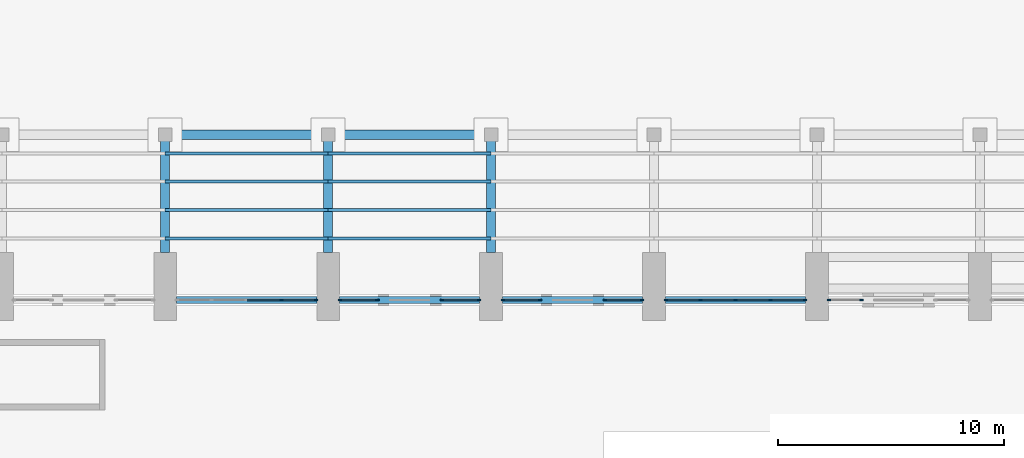
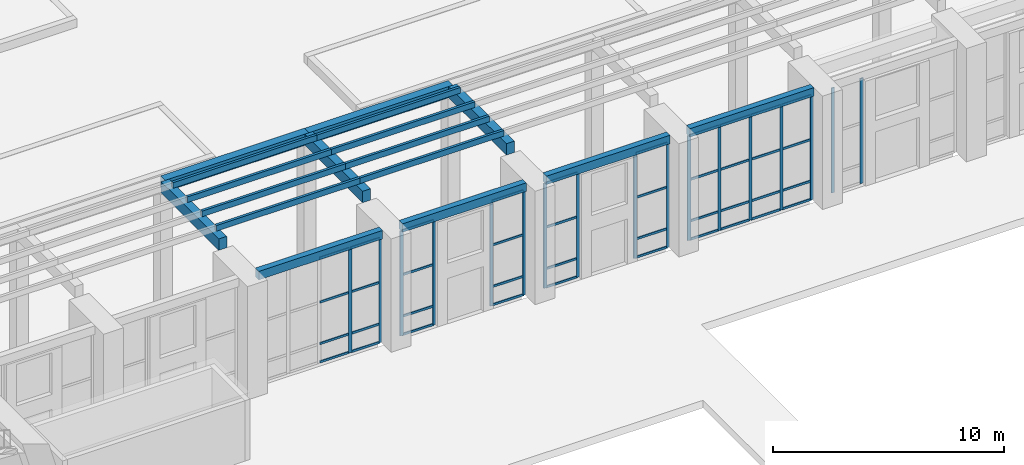
# One storey, part 15 of 70: 65 members, 9 beams, 7 elements without a shape of their own.
"""IFC4 building model written with IfcOpenShell, lengths in metres."""

from ifc_helpers import new_model, si_unit, direction, frame, origin, origin_2d, place, context, subcontext, project, spatial, rectangle, extrude, material, material_profile, profile_set, type_object, element, aggregate, save


model = new_model("IFC4")

# Units and contexts
model_context = context("Model", 3, precision=1e-05, world=origin(), true_north=direction((0.0, 1.0)))
body_context = subcontext(model_context, "Body", "Model", "MODEL_VIEW")
ifc_project = project(units=[si_unit("LENGTHUNIT", "METRE"), si_unit("AREAUNIT", "SQUARE_METRE"), si_unit("VOLUMEUNIT", "CUBIC_METRE"), si_unit("PLANEANGLEUNIT", "RADIAN"), si_unit("MASSUNIT", "GRAM", prefix="KILO")], contexts=[model_context])

# Site, building, storey
site_placement = place(None, origin())
site = spatial("IfcSite", under=ifc_project, at=site_placement, CompositionType="ELEMENT")
building_placement = place(site_placement, origin())
building = spatial("IfcBuilding", under=site, at=building_placement, Name="Vermilion Court Aquatics Centre", CompositionType="ELEMENT")
storey_placement = place(building_placement, origin())
storey = spatial("IfcBuildingStorey", under=building, at=storey_placement, Name="L00", CompositionType="ELEMENT", Elevation=0.0)

# Beams
ifc_material_1 = material(Name="Concrete 5000 psi", Category="concrete")
ifc_material_profile_1 = material_profile(ifc_material_1, rectangle(XDim=0.39990234375, YDim=0.60009765625, at=origin_2d()), Name="RC 400x600")
ifc_profile_set_1 = profile_set([ifc_material_profile_1], Name="Concrete 5000 psi")
beam_type_1 = type_object("IfcBeamType", Name="Court arcade beam RC 400x600", PredefinedType="BEAM", material=ifc_profile_set_1)
for number, where, z_axis, x_axis, name in (
    (1, (28.800048828125, 66.89990234375, 6.300048828125), (0.0, 1.0, 0.0), (-1.0, 0.0, 0.0), "Court arcade cross beam 3"),
    (2, (36.0, 66.89990234375, 6.300048828125), (0.0, 1.0, 0.0), (-1.0, 0.0, 0.0), "Court arcade cross beam 4"),
    (3, (43.199951171875, 66.89990234375, 6.300048828125), (0.0, 1.0, 0.0), (-1.0, 0.0, 0.0), "Court arcade cross beam 5"),
):
    element("IfcBeam", number, at=place(storey_placement, frame(where, z_axis=z_axis, x_axis=x_axis)), inside=storey, type_object=beam_type_1, Name=name, PredefinedType="BEAM", context=body_context, shape_type="SweptSolid", body=[
        extrude(rectangle(XDim=0.39990234375, YDim=0.60009765625, at=origin_2d()), origin(), (0.0, 0.0, 1.0), 5.0),
    ])
for number, where, z_axis, x_axis, name in (
    (4, (28.800048828125, 72.10009765625, 6.300048828125), (1.0, 0.0, 0.0), (0.0, 1.0, 0.0), "Court arcade edge beam 3"),
    (5, (36.0, 72.10009765625, 6.300048828125), (1.0, 0.0, 0.0), (0.0, 1.0, 0.0), "Court arcade edge beam 4"),
):
    element("IfcBeam", number, at=place(storey_placement, frame(where, z_axis=z_axis, x_axis=x_axis)), inside=storey, type_object=beam_type_1, Name=name, PredefinedType="BEAM", context=body_context, shape_type="SweptSolid", body=[
        extrude(rectangle(XDim=0.39990234375, YDim=0.60009765625, at=origin_2d()), origin(), (0.0, 0.0, 1.0), 7.199951171875),
    ])

# Members
ifc_material_2 = material(Name="Glulam 24F-V4 Douglas fir", Category="wood")
ifc_material_profile_2 = material_profile(ifc_material_2, rectangle(XDim=0.1298828125, YDim=0.300048828125, at=origin_2d()), Name="GL24F 130x300")
ifc_profile_set_2 = profile_set([ifc_material_profile_2], Name="Glulam 24F-V4 Douglas fir")
member_type_1 = type_object("IfcMemberType", Name="Court arcade glulam slat GL24F 130x300", PredefinedType="MEMBER", material=ifc_profile_set_2)
for number, where, z_axis, x_axis, name in (
    (6, (28.800048828125, 67.52490234375, 6.75), (1.0, 0.0, 0.0), (0.0, 1.0, 0.0), "Court arcade slat 3.1"),
    (7, (28.800048828125, 68.77490234375, 6.75), (1.0, 0.0, 0.0), (0.0, 1.0, 0.0), "Court arcade slat 3.2"),
    (8, (28.800048828125, 70.02490234375, 6.75), (1.0, 0.0, 0.0), (0.0, 1.0, 0.0), "Court arcade slat 3.3"),
    (9, (28.800048828125, 71.27490234375, 6.75), (1.0, 0.0, 0.0), (0.0, 1.0, 0.0), "Court arcade slat 3.4"),
    (10, (36.0, 67.52490234375, 6.75), (1.0, 0.0, 0.0), (0.0, 1.0, 0.0), "Court arcade slat 4.1"),
    (11, (36.0, 68.77490234375, 6.75), (1.0, 0.0, 0.0), (0.0, 1.0, 0.0), "Court arcade slat 4.2"),
    (12, (36.0, 70.02490234375, 6.75), (1.0, 0.0, 0.0), (0.0, 1.0, 0.0), "Court arcade slat 4.3"),
    (13, (36.0, 71.27490234375, 6.75), (1.0, 0.0, 0.0), (0.0, 1.0, 0.0), "Court arcade slat 4.4"),
):
    element("IfcMember", number, at=place(storey_placement, frame(where, z_axis=z_axis, x_axis=x_axis)), inside=storey, type_object=member_type_1, Name=name, PredefinedType="MEMBER", context=body_context, shape_type="SweptSolid", body=[
        extrude(rectangle(XDim=0.1298828125, YDim=0.300048828125, at=origin_2d()), origin(), (0.0, 0.0, 1.0), 7.199951171875),
    ])

# Curtain wall, members
ifc_material_3 = material(Name="Aluminium 6063-T5", Category="aluminium")
curtain_wall_type = type_object("IfcCurtainWallType", Name="Envelope curtain wall hall glazing L00", PredefinedType="NOTDEFINED", material=ifc_material_3)
curtain_wall_1_placement = place(storey_placement, origin())
curtain_wall_1 = element("IfcCurtainWall", 14, at=curtain_wall_1_placement, inside=storey, type_object=curtain_wall_type, Name="Hall glazing bay 3 L00", PredefinedType="NOTDEFINED")
ifc_material_4 = material(Name="Aluminium 6063-T5", Category="aluminium")
ifc_material_profile_3 = material_profile(ifc_material_4, rectangle(XDim=0.06005859375, YDim=0.159912109375, at=origin_2d()), Name="AL 60x160")
ifc_profile_set_3 = profile_set([ifc_material_profile_3], Name="Aluminium 6063-T5")
member_type_2 = type_object("IfcMemberType", Name="Envelope aluminium mullion 60x160", PredefinedType="MULLION", material=ifc_profile_set_3)
member_1_placement = place(storey_placement, frame((33.949951171875, 64.800048828125, 0.0), z_axis=(0.0, 0.0, 1.0), x_axis=(0.0, 1.0, 0.0)))
member_1 = element("IfcMember", 15, at=member_1_placement, type_object=member_type_2, Name="ECW1 mullion 4", PredefinedType="MULLION", context=body_context, shape_type="SweptSolid", body=[
    extrude(rectangle(XDim=0.06005859375, YDim=0.159912109375, at=origin_2d()), origin(), (0.0, 0.0, 1.0), 5.550048828125),
])
member_2_placement = place(storey_placement, frame((35.469970703125, 64.800048828125, 0.0), z_axis=(0.0, 0.0, 1.0), x_axis=(0.0, 1.0, 0.0)))
member_2 = element("IfcMember", 16, at=member_2_placement, type_object=member_type_2, Name="ECW1 mullion 5", PredefinedType="MULLION", context=body_context, shape_type="SweptSolid", body=[
    extrude(rectangle(XDim=0.06005859375, YDim=0.159912109375, at=origin_2d()), origin(), (0.0, 0.0, 1.0), 5.550048828125),
])

curtain_wall_2_placement = place(storey_placement, origin())
curtain_wall_2 = element("IfcCurtainWall", 17, at=curtain_wall_2_placement, inside=storey, type_object=curtain_wall_type, Name="Hall entrance sidelight bay 4 L00 W", PredefinedType="NOTDEFINED")
member_3_placement = place(storey_placement, frame((36.530029296875, 64.800048828125, 0.0), z_axis=(0.0, 0.0, 1.0), x_axis=(0.0, 1.0, 0.0)))
member_3 = element("IfcMember", 18, at=member_3_placement, type_object=member_type_2, Name="ECW1 mullion 1", PredefinedType="MULLION", context=body_context, shape_type="SweptSolid", body=[
    extrude(rectangle(XDim=0.06005859375, YDim=0.159912109375, at=origin_2d()), origin(), (0.0, 0.0, 1.0), 5.550048828125),
])
member_4_placement = place(storey_placement, frame((38.169921875, 64.800048828125, 0.0), z_axis=(0.0, 0.0, 1.0), x_axis=(0.0, 1.0, 0.0)))
member_4 = element("IfcMember", 19, at=member_4_placement, type_object=member_type_2, Name="ECW1 mullion 2", PredefinedType="MULLION", context=body_context, shape_type="SweptSolid", body=[
    extrude(rectangle(XDim=0.06005859375, YDim=0.159912109375, at=origin_2d()), origin(), (0.0, 0.0, 1.0), 5.550048828125),
])

curtain_wall_3_placement = place(storey_placement, origin())
curtain_wall_3 = element("IfcCurtainWall", 20, at=curtain_wall_3_placement, inside=storey, type_object=curtain_wall_type, Name="Hall entrance sidelight bay 4 L00 E", PredefinedType="NOTDEFINED")
member_5_placement = place(storey_placement, frame((41.030029296875, 64.800048828125, 0.0), z_axis=(0.0, 0.0, 1.0), x_axis=(0.0, 1.0, 0.0)))
member_5 = element("IfcMember", 21, at=member_5_placement, type_object=member_type_2, Name="ECW1 mullion 1", PredefinedType="MULLION", context=body_context, shape_type="SweptSolid", body=[
    extrude(rectangle(XDim=0.06005859375, YDim=0.159912109375, at=origin_2d()), origin(), (0.0, 0.0, 1.0), 5.550048828125),
])
member_6_placement = place(storey_placement, frame((42.669921875, 64.800048828125, 0.0), z_axis=(0.0, 0.0, 1.0), x_axis=(0.0, 1.0, 0.0)))
member_6 = element("IfcMember", 22, at=member_6_placement, type_object=member_type_2, Name="ECW1 mullion 2", PredefinedType="MULLION", context=body_context, shape_type="SweptSolid", body=[
    extrude(rectangle(XDim=0.06005859375, YDim=0.159912109375, at=origin_2d()), origin(), (0.0, 0.0, 1.0), 5.550048828125),
])

curtain_wall_4_placement = place(storey_placement, origin())
curtain_wall_4 = element("IfcCurtainWall", 23, at=curtain_wall_4_placement, inside=storey, type_object=curtain_wall_type, Name="Hall entrance sidelight bay 5 L00 W", PredefinedType="NOTDEFINED")
member_7_placement = place(storey_placement, frame((43.72998046875, 64.800048828125, 0.0), z_axis=(0.0, 0.0, 1.0), x_axis=(0.0, 1.0, 0.0)))
member_7 = element("IfcMember", 24, at=member_7_placement, type_object=member_type_2, Name="ECW1 mullion 1", PredefinedType="MULLION", context=body_context, shape_type="SweptSolid", body=[
    extrude(rectangle(XDim=0.06005859375, YDim=0.159912109375, at=origin_2d()), origin(), (0.0, 0.0, 1.0), 5.550048828125),
])
member_8_placement = place(storey_placement, frame((45.3701171875, 64.800048828125, 0.0), z_axis=(0.0, 0.0, 1.0), x_axis=(0.0, 1.0, 0.0)))
member_8 = element("IfcMember", 25, at=member_8_placement, type_object=member_type_2, Name="ECW1 mullion 2", PredefinedType="MULLION", context=body_context, shape_type="SweptSolid", body=[
    extrude(rectangle(XDim=0.06005859375, YDim=0.159912109375, at=origin_2d()), origin(), (0.0, 0.0, 1.0), 5.550048828125),
])

curtain_wall_5_placement = place(storey_placement, origin())
curtain_wall_5 = element("IfcCurtainWall", 26, at=curtain_wall_5_placement, inside=storey, type_object=curtain_wall_type, Name="Hall entrance sidelight bay 5 L00 E", PredefinedType="NOTDEFINED")
member_9_placement = place(storey_placement, frame((48.22998046875, 64.800048828125, 0.0), z_axis=(0.0, 0.0, 1.0), x_axis=(0.0, 1.0, 0.0)))
member_9 = element("IfcMember", 27, at=member_9_placement, type_object=member_type_2, Name="ECW1 mullion 1", PredefinedType="MULLION", context=body_context, shape_type="SweptSolid", body=[
    extrude(rectangle(XDim=0.06005859375, YDim=0.159912109375, at=origin_2d()), origin(), (0.0, 0.0, 1.0), 5.550048828125),
])
member_10_placement = place(storey_placement, frame((49.8701171875, 64.800048828125, 0.0), z_axis=(0.0, 0.0, 1.0), x_axis=(0.0, 1.0, 0.0)))
member_10 = element("IfcMember", 28, at=member_10_placement, type_object=member_type_2, Name="ECW1 mullion 2", PredefinedType="MULLION", context=body_context, shape_type="SweptSolid", body=[
    extrude(rectangle(XDim=0.06005859375, YDim=0.159912109375, at=origin_2d()), origin(), (0.0, 0.0, 1.0), 5.550048828125),
])

curtain_wall_6_placement = place(storey_placement, origin())
curtain_wall_6 = element("IfcCurtainWall", 29, at=curtain_wall_6_placement, inside=storey, type_object=curtain_wall_type, Name="Hall glazing bay 6 L00", PredefinedType="NOTDEFINED")
member_11_placement = place(storey_placement, frame((50.929931640625, 64.800048828125, 0.0), z_axis=(0.0, 0.0, 1.0), x_axis=(0.0, 1.0, 0.0)))
member_11 = element("IfcMember", 30, at=member_11_placement, type_object=member_type_2, Name="ECW1 mullion 1", PredefinedType="MULLION", context=body_context, shape_type="SweptSolid", body=[
    extrude(rectangle(XDim=0.06005859375, YDim=0.159912109375, at=origin_2d()), origin(), (0.0, 0.0, 1.0), 5.550048828125),
])
member_12_placement = place(storey_placement, frame((52.449951171875, 64.800048828125, 0.0), z_axis=(0.0, 0.0, 1.0), x_axis=(0.0, 1.0, 0.0)))
member_12 = element("IfcMember", 31, at=member_12_placement, type_object=member_type_2, Name="ECW1 mullion 2", PredefinedType="MULLION", context=body_context, shape_type="SweptSolid", body=[
    extrude(rectangle(XDim=0.06005859375, YDim=0.159912109375, at=origin_2d()), origin(), (0.0, 0.0, 1.0), 5.550048828125),
])
member_13_placement = place(storey_placement, frame((54.0, 64.800048828125, 0.0), z_axis=(0.0, 0.0, 1.0), x_axis=(0.0, 1.0, 0.0)))
member_13 = element("IfcMember", 32, at=member_13_placement, type_object=member_type_2, Name="ECW1 mullion 3", PredefinedType="MULLION", context=body_context, shape_type="SweptSolid", body=[
    extrude(rectangle(XDim=0.06005859375, YDim=0.159912109375, at=origin_2d()), origin(), (0.0, 0.0, 1.0), 5.550048828125),
])
member_14_placement = place(storey_placement, frame((55.550048828125, 64.800048828125, 0.0), z_axis=(0.0, 0.0, 1.0), x_axis=(0.0, 1.0, 0.0)))
member_14 = element("IfcMember", 33, at=member_14_placement, type_object=member_type_2, Name="ECW1 mullion 4", PredefinedType="MULLION", context=body_context, shape_type="SweptSolid", body=[
    extrude(rectangle(XDim=0.06005859375, YDim=0.159912109375, at=origin_2d()), origin(), (0.0, 0.0, 1.0), 5.550048828125),
])
member_15_placement = place(storey_placement, frame((57.070068359375, 64.800048828125, 0.0), z_axis=(0.0, 0.0, 1.0), x_axis=(0.0, 1.0, 0.0)))
member_15 = element("IfcMember", 34, at=member_15_placement, type_object=member_type_2, Name="ECW1 mullion 5", PredefinedType="MULLION", context=body_context, shape_type="SweptSolid", body=[
    extrude(rectangle(XDim=0.06005859375, YDim=0.159912109375, at=origin_2d()), origin(), (0.0, 0.0, 1.0), 5.550048828125),
])

curtain_wall_7_placement = place(storey_placement, origin())
curtain_wall_7 = element("IfcCurtainWall", 35, at=curtain_wall_7_placement, inside=storey, type_object=curtain_wall_type, Name="Hall entrance sidelight bay 7 L00 W", PredefinedType="NOTDEFINED")
member_16_placement = place(storey_placement, frame((58.1298828125, 64.800048828125, 0.0), z_axis=(0.0, 0.0, 1.0), x_axis=(0.0, 1.0, 0.0)))
member_16 = element("IfcMember", 36, at=member_16_placement, type_object=member_type_2, Name="ECW1 mullion 1", PredefinedType="MULLION", context=body_context, shape_type="SweptSolid", body=[
    extrude(rectangle(XDim=0.06005859375, YDim=0.159912109375, at=origin_2d()), origin(), (0.0, 0.0, 1.0), 5.550048828125),
])
member_17_placement = place(storey_placement, frame((59.570068359375, 64.800048828125, 0.0), z_axis=(0.0, 0.0, 1.0), x_axis=(0.0, 1.0, 0.0)))
member_17 = element("IfcMember", 37, at=member_17_placement, type_object=member_type_2, Name="ECW1 mullion 2", PredefinedType="MULLION", context=body_context, shape_type="SweptSolid", body=[
    extrude(rectangle(XDim=0.06005859375, YDim=0.159912109375, at=origin_2d()), origin(), (0.0, 0.0, 1.0), 5.550048828125),
])
aggregate(curtain_wall_7, [member_16, member_17])

# Member
ifc_material_5 = material(Name="Aluminium 6063-T5", Category="aluminium")
ifc_material_profile_4 = material_profile(ifc_material_5, rectangle(XDim=0.06005859375, YDim=0.1201171875, at=origin_2d()), Name="AL 60x120")
ifc_profile_set_4 = profile_set([ifc_material_profile_4], Name="Aluminium 6063-T5")
member_type_3 = type_object("IfcMemberType", Name="Envelope aluminium transom 60x120", PredefinedType="USERDEFINED", material=ifc_profile_set_4)
member_18_placement = place(storey_placement, frame((32.429931640625, 64.800048828125, 0.030029296875), z_axis=(1.0, 0.0, 0.0), x_axis=(0.0, 1.0, 0.0)))
member_18 = element("IfcMember", 38, at=member_18_placement, type_object=member_type_3, Name="ECW1 transom 3.1", ObjectType="TRANSOM", PredefinedType="USERDEFINED", context=body_context, shape_type="SweptSolid", body=[
    extrude(rectangle(XDim=0.06005859375, YDim=0.1201171875, at=origin_2d()), origin(), (0.0, 0.0, 1.0), 1.489990234375),
])

member_19_placement = place(storey_placement, frame((32.429931640625, 64.800048828125, 1.0), z_axis=(1.0, 0.0, 0.0), x_axis=(0.0, 1.0, 0.0)))
member_19 = element("IfcMember", 39, at=member_19_placement, type_object=member_type_3, Name="ECW1 transom 3.2", ObjectType="TRANSOM", PredefinedType="USERDEFINED", context=body_context, shape_type="SweptSolid", body=[
    extrude(rectangle(XDim=0.06005859375, YDim=0.1201171875, at=origin_2d()), origin(), (0.0, 0.0, 1.0), 1.489990234375),
])

member_20_placement = place(storey_placement, frame((32.429931640625, 64.800048828125, 3.199951171875), z_axis=(1.0, 0.0, 0.0), x_axis=(0.0, 1.0, 0.0)))
member_20 = element("IfcMember", 40, at=member_20_placement, type_object=member_type_3, Name="ECW1 transom 3.3", ObjectType="TRANSOM", PredefinedType="USERDEFINED", context=body_context, shape_type="SweptSolid", body=[
    extrude(rectangle(XDim=0.06005859375, YDim=0.1201171875, at=origin_2d()), origin(), (0.0, 0.0, 1.0), 1.489990234375),
])

member_21_placement = place(storey_placement, frame((32.429931640625, 64.800048828125, 5.52001953125), z_axis=(1.0, 0.0, 0.0), x_axis=(0.0, 1.0, 0.0)))
member_21 = element("IfcMember", 41, at=member_21_placement, type_object=member_type_3, Name="ECW1 transom 3.4", ObjectType="TRANSOM", PredefinedType="USERDEFINED", context=body_context, shape_type="SweptSolid", body=[
    extrude(rectangle(XDim=0.06005859375, YDim=0.1201171875, at=origin_2d()), origin(), (0.0, 0.0, 1.0), 1.489990234375),
])

member_22_placement = place(storey_placement, frame((33.97998046875, 64.800048828125, 0.030029296875), z_axis=(1.0, 0.0, 0.0), x_axis=(0.0, 1.0, 0.0)))
member_22 = element("IfcMember", 42, at=member_22_placement, type_object=member_type_3, Name="ECW1 transom 4.1", ObjectType="TRANSOM", PredefinedType="USERDEFINED", context=body_context, shape_type="SweptSolid", body=[
    extrude(rectangle(XDim=0.06005859375, YDim=0.1201171875, at=origin_2d()), origin(), (0.0, 0.0, 1.0), 1.4599609375),
])

member_23_placement = place(storey_placement, frame((33.97998046875, 64.800048828125, 1.0), z_axis=(1.0, 0.0, 0.0), x_axis=(0.0, 1.0, 0.0)))
member_23 = element("IfcMember", 43, at=member_23_placement, type_object=member_type_3, Name="ECW1 transom 4.2", ObjectType="TRANSOM", PredefinedType="USERDEFINED", context=body_context, shape_type="SweptSolid", body=[
    extrude(rectangle(XDim=0.06005859375, YDim=0.1201171875, at=origin_2d()), origin(), (0.0, 0.0, 1.0), 1.4599609375),
])

member_24_placement = place(storey_placement, frame((33.97998046875, 64.800048828125, 3.199951171875), z_axis=(1.0, 0.0, 0.0), x_axis=(0.0, 1.0, 0.0)))
member_24 = element("IfcMember", 44, at=member_24_placement, type_object=member_type_3, Name="ECW1 transom 4.3", ObjectType="TRANSOM", PredefinedType="USERDEFINED", context=body_context, shape_type="SweptSolid", body=[
    extrude(rectangle(XDim=0.06005859375, YDim=0.1201171875, at=origin_2d()), origin(), (0.0, 0.0, 1.0), 1.4599609375),
])

member_25_placement = place(storey_placement, frame((33.97998046875, 64.800048828125, 5.52001953125), z_axis=(1.0, 0.0, 0.0), x_axis=(0.0, 1.0, 0.0)))
member_25 = element("IfcMember", 45, at=member_25_placement, type_object=member_type_3, Name="ECW1 transom 4.4", ObjectType="TRANSOM", PredefinedType="USERDEFINED", context=body_context, shape_type="SweptSolid", body=[
    extrude(rectangle(XDim=0.06005859375, YDim=0.1201171875, at=origin_2d()), origin(), (0.0, 0.0, 1.0), 1.4599609375),
])

aggregate(curtain_wall_1, [member_1, member_2, member_18, member_19, member_20, member_21, member_22, member_23, member_24, member_25])

member_26_placement = place(storey_placement, frame((36.56005859375, 64.800048828125, 0.030029296875), z_axis=(1.0, 0.0, 0.0), x_axis=(0.0, 1.0, 0.0)))
member_26 = element("IfcMember", 46, at=member_26_placement, type_object=member_type_3, Name="ECW1 transom 1.1", ObjectType="TRANSOM", PredefinedType="USERDEFINED", context=body_context, shape_type="SweptSolid", body=[
    extrude(rectangle(XDim=0.06005859375, YDim=0.1201171875, at=origin_2d()), origin(), (0.0, 0.0, 1.0), 1.579833984375),
])

member_27_placement = place(storey_placement, frame((36.56005859375, 64.800048828125, 1.0), z_axis=(1.0, 0.0, 0.0), x_axis=(0.0, 1.0, 0.0)))
member_27 = element("IfcMember", 47, at=member_27_placement, type_object=member_type_3, Name="ECW1 transom 1.2", ObjectType="TRANSOM", PredefinedType="USERDEFINED", context=body_context, shape_type="SweptSolid", body=[
    extrude(rectangle(XDim=0.06005859375, YDim=0.1201171875, at=origin_2d()), origin(), (0.0, 0.0, 1.0), 1.579833984375),
])

member_28_placement = place(storey_placement, frame((36.56005859375, 64.800048828125, 3.199951171875), z_axis=(1.0, 0.0, 0.0), x_axis=(0.0, 1.0, 0.0)))
member_28 = element("IfcMember", 48, at=member_28_placement, type_object=member_type_3, Name="ECW1 transom 1.3", ObjectType="TRANSOM", PredefinedType="USERDEFINED", context=body_context, shape_type="SweptSolid", body=[
    extrude(rectangle(XDim=0.06005859375, YDim=0.1201171875, at=origin_2d()), origin(), (0.0, 0.0, 1.0), 1.579833984375),
])

member_29_placement = place(storey_placement, frame((36.56005859375, 64.800048828125, 5.52001953125), z_axis=(1.0, 0.0, 0.0), x_axis=(0.0, 1.0, 0.0)))
member_29 = element("IfcMember", 49, at=member_29_placement, type_object=member_type_3, Name="ECW1 transom 1.4", ObjectType="TRANSOM", PredefinedType="USERDEFINED", context=body_context, shape_type="SweptSolid", body=[
    extrude(rectangle(XDim=0.06005859375, YDim=0.1201171875, at=origin_2d()), origin(), (0.0, 0.0, 1.0), 1.579833984375),
])

aggregate(curtain_wall_2, [member_3, member_4, member_26, member_27, member_28, member_29])

member_30_placement = place(storey_placement, frame((41.06005859375, 64.800048828125, 0.030029296875), z_axis=(1.0, 0.0, 0.0), x_axis=(0.0, 1.0, 0.0)))
member_30 = element("IfcMember", 50, at=member_30_placement, type_object=member_type_3, Name="ECW1 transom 1.1", ObjectType="TRANSOM", PredefinedType="USERDEFINED", context=body_context, shape_type="SweptSolid", body=[
    extrude(rectangle(XDim=0.06005859375, YDim=0.1201171875, at=origin_2d()), origin(), (0.0, 0.0, 1.0), 1.579833984375),
])

member_31_placement = place(storey_placement, frame((41.06005859375, 64.800048828125, 1.0), z_axis=(1.0, 0.0, 0.0), x_axis=(0.0, 1.0, 0.0)))
member_31 = element("IfcMember", 51, at=member_31_placement, type_object=member_type_3, Name="ECW1 transom 1.2", ObjectType="TRANSOM", PredefinedType="USERDEFINED", context=body_context, shape_type="SweptSolid", body=[
    extrude(rectangle(XDim=0.06005859375, YDim=0.1201171875, at=origin_2d()), origin(), (0.0, 0.0, 1.0), 1.579833984375),
])

member_32_placement = place(storey_placement, frame((41.06005859375, 64.800048828125, 3.199951171875), z_axis=(1.0, 0.0, 0.0), x_axis=(0.0, 1.0, 0.0)))
member_32 = element("IfcMember", 52, at=member_32_placement, type_object=member_type_3, Name="ECW1 transom 1.3", ObjectType="TRANSOM", PredefinedType="USERDEFINED", context=body_context, shape_type="SweptSolid", body=[
    extrude(rectangle(XDim=0.06005859375, YDim=0.1201171875, at=origin_2d()), origin(), (0.0, 0.0, 1.0), 1.579833984375),
])

member_33_placement = place(storey_placement, frame((41.06005859375, 64.800048828125, 5.52001953125), z_axis=(1.0, 0.0, 0.0), x_axis=(0.0, 1.0, 0.0)))
member_33 = element("IfcMember", 53, at=member_33_placement, type_object=member_type_3, Name="ECW1 transom 1.4", ObjectType="TRANSOM", PredefinedType="USERDEFINED", context=body_context, shape_type="SweptSolid", body=[
    extrude(rectangle(XDim=0.06005859375, YDim=0.1201171875, at=origin_2d()), origin(), (0.0, 0.0, 1.0), 1.579833984375),
])

aggregate(curtain_wall_3, [member_5, member_6, member_30, member_31, member_32, member_33])

member_34_placement = place(storey_placement, frame((43.760009765625, 64.800048828125, 0.030029296875), z_axis=(1.0, 0.0, 0.0), x_axis=(0.0, 1.0, 0.0)))
member_34 = element("IfcMember", 54, at=member_34_placement, type_object=member_type_3, Name="ECW1 transom 1.1", ObjectType="TRANSOM", PredefinedType="USERDEFINED", context=body_context, shape_type="SweptSolid", body=[
    extrude(rectangle(XDim=0.06005859375, YDim=0.1201171875, at=origin_2d()), origin(), (0.0, 0.0, 1.0), 1.580078125),
])

member_35_placement = place(storey_placement, frame((43.760009765625, 64.800048828125, 1.0), z_axis=(1.0, 0.0, 0.0), x_axis=(0.0, 1.0, 0.0)))
member_35 = element("IfcMember", 55, at=member_35_placement, type_object=member_type_3, Name="ECW1 transom 1.2", ObjectType="TRANSOM", PredefinedType="USERDEFINED", context=body_context, shape_type="SweptSolid", body=[
    extrude(rectangle(XDim=0.06005859375, YDim=0.1201171875, at=origin_2d()), origin(), (0.0, 0.0, 1.0), 1.580078125),
])

member_36_placement = place(storey_placement, frame((43.760009765625, 64.800048828125, 3.199951171875), z_axis=(1.0, 0.0, 0.0), x_axis=(0.0, 1.0, 0.0)))
member_36 = element("IfcMember", 56, at=member_36_placement, type_object=member_type_3, Name="ECW1 transom 1.3", ObjectType="TRANSOM", PredefinedType="USERDEFINED", context=body_context, shape_type="SweptSolid", body=[
    extrude(rectangle(XDim=0.06005859375, YDim=0.1201171875, at=origin_2d()), origin(), (0.0, 0.0, 1.0), 1.580078125),
])

member_37_placement = place(storey_placement, frame((43.760009765625, 64.800048828125, 5.52001953125), z_axis=(1.0, 0.0, 0.0), x_axis=(0.0, 1.0, 0.0)))
member_37 = element("IfcMember", 57, at=member_37_placement, type_object=member_type_3, Name="ECW1 transom 1.4", ObjectType="TRANSOM", PredefinedType="USERDEFINED", context=body_context, shape_type="SweptSolid", body=[
    extrude(rectangle(XDim=0.06005859375, YDim=0.1201171875, at=origin_2d()), origin(), (0.0, 0.0, 1.0), 1.580078125),
])

aggregate(curtain_wall_4, [member_7, member_8, member_34, member_35, member_36, member_37])

member_38_placement = place(storey_placement, frame((48.260009765625, 64.800048828125, 0.030029296875), z_axis=(1.0, 0.0, 0.0), x_axis=(0.0, 1.0, 0.0)))
member_38 = element("IfcMember", 58, at=member_38_placement, type_object=member_type_3, Name="ECW1 transom 1.1", ObjectType="TRANSOM", PredefinedType="USERDEFINED", context=body_context, shape_type="SweptSolid", body=[
    extrude(rectangle(XDim=0.06005859375, YDim=0.1201171875, at=origin_2d()), origin(), (0.0, 0.0, 1.0), 1.580078125),
])

member_39_placement = place(storey_placement, frame((48.260009765625, 64.800048828125, 1.0), z_axis=(1.0, 0.0, 0.0), x_axis=(0.0, 1.0, 0.0)))
member_39 = element("IfcMember", 59, at=member_39_placement, type_object=member_type_3, Name="ECW1 transom 1.2", ObjectType="TRANSOM", PredefinedType="USERDEFINED", context=body_context, shape_type="SweptSolid", body=[
    extrude(rectangle(XDim=0.06005859375, YDim=0.1201171875, at=origin_2d()), origin(), (0.0, 0.0, 1.0), 1.580078125),
])

member_40_placement = place(storey_placement, frame((48.260009765625, 64.800048828125, 3.199951171875), z_axis=(1.0, 0.0, 0.0), x_axis=(0.0, 1.0, 0.0)))
member_40 = element("IfcMember", 60, at=member_40_placement, type_object=member_type_3, Name="ECW1 transom 1.3", ObjectType="TRANSOM", PredefinedType="USERDEFINED", context=body_context, shape_type="SweptSolid", body=[
    extrude(rectangle(XDim=0.06005859375, YDim=0.1201171875, at=origin_2d()), origin(), (0.0, 0.0, 1.0), 1.580078125),
])

member_41_placement = place(storey_placement, frame((48.260009765625, 64.800048828125, 5.52001953125), z_axis=(1.0, 0.0, 0.0), x_axis=(0.0, 1.0, 0.0)))
member_41 = element("IfcMember", 61, at=member_41_placement, type_object=member_type_3, Name="ECW1 transom 1.4", ObjectType="TRANSOM", PredefinedType="USERDEFINED", context=body_context, shape_type="SweptSolid", body=[
    extrude(rectangle(XDim=0.06005859375, YDim=0.1201171875, at=origin_2d()), origin(), (0.0, 0.0, 1.0), 1.580078125),
])

aggregate(curtain_wall_5, [member_9, member_10, member_38, member_39, member_40, member_41])

member_42_placement = place(storey_placement, frame((50.9599609375, 64.800048828125, 0.030029296875), z_axis=(1.0, 0.0, 0.0), x_axis=(0.0, 1.0, 0.0)))
member_42 = element("IfcMember", 62, at=member_42_placement, type_object=member_type_3, Name="ECW1 transom 1.1", ObjectType="TRANSOM", PredefinedType="USERDEFINED", context=body_context, shape_type="SweptSolid", body=[
    extrude(rectangle(XDim=0.06005859375, YDim=0.1201171875, at=origin_2d()), origin(), (0.0, 0.0, 1.0), 1.4599609375),
])

member_43_placement = place(storey_placement, frame((50.9599609375, 64.800048828125, 1.0), z_axis=(1.0, 0.0, 0.0), x_axis=(0.0, 1.0, 0.0)))
member_43 = element("IfcMember", 63, at=member_43_placement, type_object=member_type_3, Name="ECW1 transom 1.2", ObjectType="TRANSOM", PredefinedType="USERDEFINED", context=body_context, shape_type="SweptSolid", body=[
    extrude(rectangle(XDim=0.06005859375, YDim=0.1201171875, at=origin_2d()), origin(), (0.0, 0.0, 1.0), 1.4599609375),
])

member_44_placement = place(storey_placement, frame((50.9599609375, 64.800048828125, 3.199951171875), z_axis=(1.0, 0.0, 0.0), x_axis=(0.0, 1.0, 0.0)))
member_44 = element("IfcMember", 64, at=member_44_placement, type_object=member_type_3, Name="ECW1 transom 1.3", ObjectType="TRANSOM", PredefinedType="USERDEFINED", context=body_context, shape_type="SweptSolid", body=[
    extrude(rectangle(XDim=0.06005859375, YDim=0.1201171875, at=origin_2d()), origin(), (0.0, 0.0, 1.0), 1.4599609375),
])

member_45_placement = place(storey_placement, frame((50.9599609375, 64.800048828125, 5.52001953125), z_axis=(1.0, 0.0, 0.0), x_axis=(0.0, 1.0, 0.0)))
member_45 = element("IfcMember", 65, at=member_45_placement, type_object=member_type_3, Name="ECW1 transom 1.4", ObjectType="TRANSOM", PredefinedType="USERDEFINED", context=body_context, shape_type="SweptSolid", body=[
    extrude(rectangle(XDim=0.06005859375, YDim=0.1201171875, at=origin_2d()), origin(), (0.0, 0.0, 1.0), 1.4599609375),
])

member_46_placement = place(storey_placement, frame((52.47998046875, 64.800048828125, 0.030029296875), z_axis=(1.0, 0.0, 0.0), x_axis=(0.0, 1.0, 0.0)))
member_46 = element("IfcMember", 66, at=member_46_placement, type_object=member_type_3, Name="ECW1 transom 2.1", ObjectType="TRANSOM", PredefinedType="USERDEFINED", context=body_context, shape_type="SweptSolid", body=[
    extrude(rectangle(XDim=0.06005859375, YDim=0.1201171875, at=origin_2d()), origin(), (0.0, 0.0, 1.0), 1.489990234375),
])

member_47_placement = place(storey_placement, frame((52.47998046875, 64.800048828125, 1.0), z_axis=(1.0, 0.0, 0.0), x_axis=(0.0, 1.0, 0.0)))
member_47 = element("IfcMember", 67, at=member_47_placement, type_object=member_type_3, Name="ECW1 transom 2.2", ObjectType="TRANSOM", PredefinedType="USERDEFINED", context=body_context, shape_type="SweptSolid", body=[
    extrude(rectangle(XDim=0.06005859375, YDim=0.1201171875, at=origin_2d()), origin(), (0.0, 0.0, 1.0), 1.489990234375),
])

member_48_placement = place(storey_placement, frame((52.47998046875, 64.800048828125, 3.199951171875), z_axis=(1.0, 0.0, 0.0), x_axis=(0.0, 1.0, 0.0)))
member_48 = element("IfcMember", 68, at=member_48_placement, type_object=member_type_3, Name="ECW1 transom 2.3", ObjectType="TRANSOM", PredefinedType="USERDEFINED", context=body_context, shape_type="SweptSolid", body=[
    extrude(rectangle(XDim=0.06005859375, YDim=0.1201171875, at=origin_2d()), origin(), (0.0, 0.0, 1.0), 1.489990234375),
])

member_49_placement = place(storey_placement, frame((52.47998046875, 64.800048828125, 5.52001953125), z_axis=(1.0, 0.0, 0.0), x_axis=(0.0, 1.0, 0.0)))
member_49 = element("IfcMember", 69, at=member_49_placement, type_object=member_type_3, Name="ECW1 transom 2.4", ObjectType="TRANSOM", PredefinedType="USERDEFINED", context=body_context, shape_type="SweptSolid", body=[
    extrude(rectangle(XDim=0.06005859375, YDim=0.1201171875, at=origin_2d()), origin(), (0.0, 0.0, 1.0), 1.489990234375),
])

member_50_placement = place(storey_placement, frame((54.030029296875, 64.800048828125, 0.030029296875), z_axis=(1.0, 0.0, 0.0), x_axis=(0.0, 1.0, 0.0)))
member_50 = element("IfcMember", 70, at=member_50_placement, type_object=member_type_3, Name="ECW1 transom 3.1", ObjectType="TRANSOM", PredefinedType="USERDEFINED", context=body_context, shape_type="SweptSolid", body=[
    extrude(rectangle(XDim=0.06005859375, YDim=0.1201171875, at=origin_2d()), origin(), (0.0, 0.0, 1.0), 1.489990234375),
])

member_51_placement = place(storey_placement, frame((54.030029296875, 64.800048828125, 1.0), z_axis=(1.0, 0.0, 0.0), x_axis=(0.0, 1.0, 0.0)))
member_51 = element("IfcMember", 71, at=member_51_placement, type_object=member_type_3, Name="ECW1 transom 3.2", ObjectType="TRANSOM", PredefinedType="USERDEFINED", context=body_context, shape_type="SweptSolid", body=[
    extrude(rectangle(XDim=0.06005859375, YDim=0.1201171875, at=origin_2d()), origin(), (0.0, 0.0, 1.0), 1.489990234375),
])

member_52_placement = place(storey_placement, frame((54.030029296875, 64.800048828125, 3.199951171875), z_axis=(1.0, 0.0, 0.0), x_axis=(0.0, 1.0, 0.0)))
member_52 = element("IfcMember", 72, at=member_52_placement, type_object=member_type_3, Name="ECW1 transom 3.3", ObjectType="TRANSOM", PredefinedType="USERDEFINED", context=body_context, shape_type="SweptSolid", body=[
    extrude(rectangle(XDim=0.06005859375, YDim=0.1201171875, at=origin_2d()), origin(), (0.0, 0.0, 1.0), 1.489990234375),
])

member_53_placement = place(storey_placement, frame((54.030029296875, 64.800048828125, 5.52001953125), z_axis=(1.0, 0.0, 0.0), x_axis=(0.0, 1.0, 0.0)))
member_53 = element("IfcMember", 73, at=member_53_placement, type_object=member_type_3, Name="ECW1 transom 3.4", ObjectType="TRANSOM", PredefinedType="USERDEFINED", context=body_context, shape_type="SweptSolid", body=[
    extrude(rectangle(XDim=0.06005859375, YDim=0.1201171875, at=origin_2d()), origin(), (0.0, 0.0, 1.0), 1.489990234375),
])

member_54_placement = place(storey_placement, frame((55.580078125, 64.800048828125, 0.030029296875), z_axis=(1.0, 0.0, 0.0), x_axis=(0.0, 1.0, 0.0)))
member_54 = element("IfcMember", 74, at=member_54_placement, type_object=member_type_3, Name="ECW1 transom 4.1", ObjectType="TRANSOM", PredefinedType="USERDEFINED", context=body_context, shape_type="SweptSolid", body=[
    extrude(rectangle(XDim=0.06005859375, YDim=0.1201171875, at=origin_2d()), origin(), (0.0, 0.0, 1.0), 1.4599609375),
])

member_55_placement = place(storey_placement, frame((55.580078125, 64.800048828125, 1.0), z_axis=(1.0, 0.0, 0.0), x_axis=(0.0, 1.0, 0.0)))
member_55 = element("IfcMember", 75, at=member_55_placement, type_object=member_type_3, Name="ECW1 transom 4.2", ObjectType="TRANSOM", PredefinedType="USERDEFINED", context=body_context, shape_type="SweptSolid", body=[
    extrude(rectangle(XDim=0.06005859375, YDim=0.1201171875, at=origin_2d()), origin(), (0.0, 0.0, 1.0), 1.4599609375),
])

member_56_placement = place(storey_placement, frame((55.580078125, 64.800048828125, 3.199951171875), z_axis=(1.0, 0.0, 0.0), x_axis=(0.0, 1.0, 0.0)))
member_56 = element("IfcMember", 76, at=member_56_placement, type_object=member_type_3, Name="ECW1 transom 4.3", ObjectType="TRANSOM", PredefinedType="USERDEFINED", context=body_context, shape_type="SweptSolid", body=[
    extrude(rectangle(XDim=0.06005859375, YDim=0.1201171875, at=origin_2d()), origin(), (0.0, 0.0, 1.0), 1.4599609375),
])

member_57_placement = place(storey_placement, frame((55.580078125, 64.800048828125, 5.52001953125), z_axis=(1.0, 0.0, 0.0), x_axis=(0.0, 1.0, 0.0)))
member_57 = element("IfcMember", 77, at=member_57_placement, type_object=member_type_3, Name="ECW1 transom 4.4", ObjectType="TRANSOM", PredefinedType="USERDEFINED", context=body_context, shape_type="SweptSolid", body=[
    extrude(rectangle(XDim=0.06005859375, YDim=0.1201171875, at=origin_2d()), origin(), (0.0, 0.0, 1.0), 1.4599609375),
])

aggregate(curtain_wall_6, [member_11, member_12, member_13, member_14, member_15, member_42, member_43, member_44, member_45, member_46, member_47, member_48, member_49, member_50, member_51, member_52, member_53, member_54, member_55, member_56, member_57])

# Beams
ifc_material_6 = material(Name="Concrete 5000 psi", Category="concrete")
ifc_material_profile_5 = material_profile(ifc_material_6, rectangle(XDim=0.300048828125, YDim=0.449951171875, at=origin_2d()), Name="RC 300x450")
ifc_profile_set_5 = profile_set([ifc_material_profile_5], Name="Concrete 5000 psi")
beam_type_2 = type_object("IfcBeamType", Name="Envelope north wall head beam RC 300x450", PredefinedType="BEAM", material=ifc_profile_set_5)
for number, where, z_axis, x_axis, name in (
    (78, (29.300048828125, 64.800048828125, 5.77490234375), (1.0, 0.0, 0.0), (0.0, 1.0, 0.0), "North wall head beam 3"),
    (79, (36.5, 64.800048828125, 5.77490234375), (1.0, 0.0, 0.0), (0.0, 1.0, 0.0), "North wall head beam 4"),
    (80, (43.699951171875, 64.800048828125, 5.77490234375), (1.0, 0.0, 0.0), (0.0, 1.0, 0.0), "North wall head beam 5"),
):
    element("IfcBeam", number, at=place(storey_placement, frame(where, z_axis=z_axis, x_axis=x_axis)), inside=storey, type_object=beam_type_2, Name=name, PredefinedType="BEAM", context=body_context, shape_type="SweptSolid", body=[
        extrude(rectangle(XDim=0.300048828125, YDim=0.449951171875, at=origin_2d()), origin(), (0.0, 0.0, 1.0), 6.199951171875),
    ])
beam_placement = place(storey_placement, frame((50.89990234375, 64.800048828125, 5.77490234375), z_axis=(1.0, 0.0, 0.0), x_axis=(0.0, 1.0, 0.0)))
element("IfcBeam", 81, at=beam_placement, inside=storey, type_object=beam_type_2, Name="North wall head beam 6", PredefinedType="BEAM", context=body_context, shape_type="SweptSolid", body=[
    extrude(rectangle(XDim=0.300048828125, YDim=0.449951171875, at=origin_2d()), origin(), (0.0, 0.0, 1.0), 6.2001953125),
])

save(model, "model.ifc")
